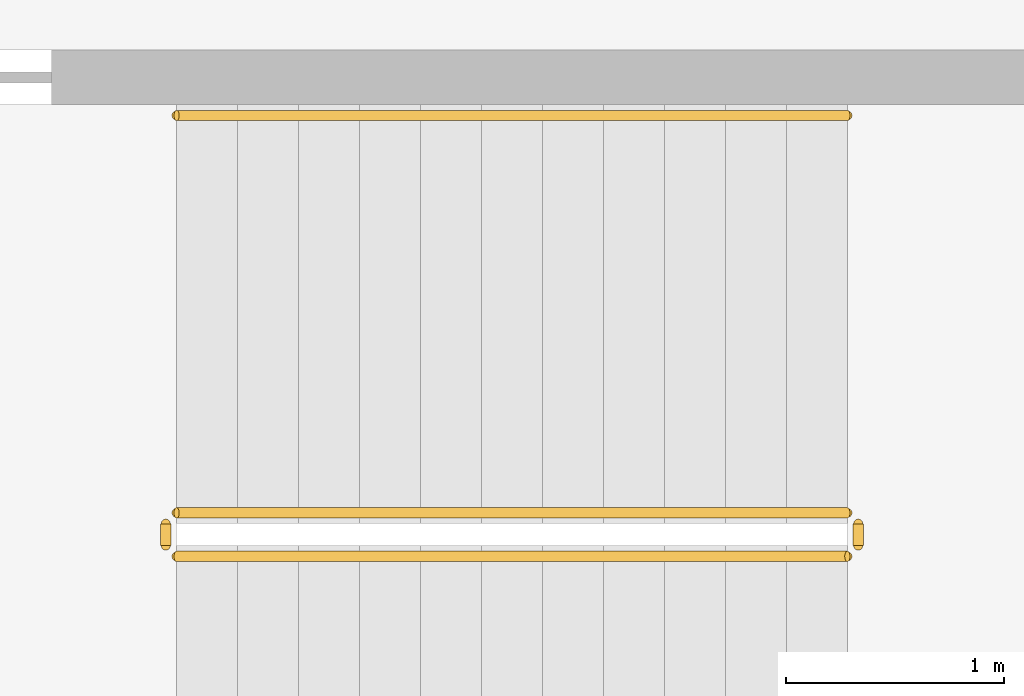
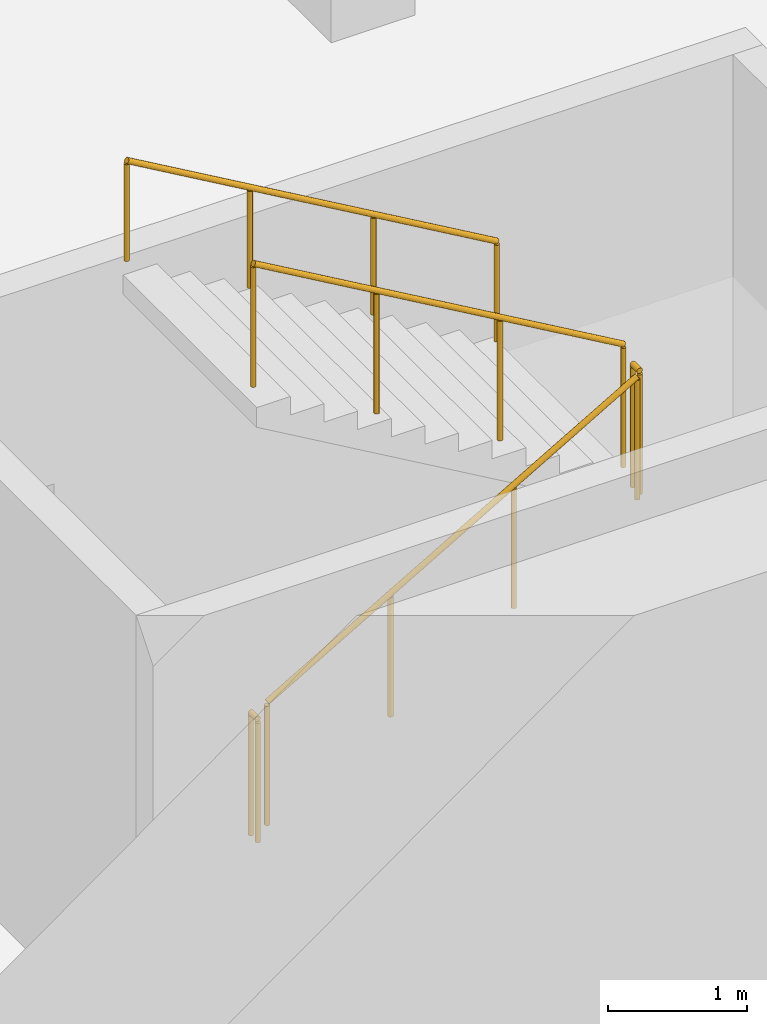
# One storey, part 21 of 25: 5 railings.
"""IFC4 building model written with IfcOpenShell, lengths in metres."""

from ifc_helpers import new_model, si_unit, direction, frame, origin, origin_2d, place, context, subcontext, project, spatial, circle, extrude, material, type_object, element, save


model = new_model("IFC4")

# Units and contexts
model_context = context("Model", 3, precision=1e-05, world=origin(), true_north=direction((0.0, 1.0)))
body_context = subcontext(model_context, "Body", "Model", "MODEL_VIEW")
ifc_project = project(units=[si_unit("LENGTHUNIT", "METRE"), si_unit("AREAUNIT", "SQUARE_METRE"), si_unit("VOLUMEUNIT", "CUBIC_METRE"), si_unit("PLANEANGLEUNIT", "RADIAN"), si_unit("MASSUNIT", "GRAM", prefix="KILO")], contexts=[model_context])

# Site, building, storey
site_placement = place(None, origin())
site = spatial("IfcSite", under=ifc_project, at=site_placement, CompositionType="ELEMENT")
building_placement = place(site_placement, origin())
building = spatial("IfcBuilding", under=site, at=building_placement, Name="Verdalira Terraces Hotel", CompositionType="ELEMENT")
storey_placement = place(building_placement, frame((0.0, 0.0, -3.899902)))
storey = spatial("IfcBuildingStorey", under=building, at=storey_placement, Name="B1", CompositionType="ELEMENT", Elevation=-3.89990234375)

# Railings
ifc_material_1 = material(Name="Stainless steel", Category="steel")
railing_type_1 = type_object("IfcRailingType", Name="Stair guard 1100", PredefinedType="GUARDRAIL", material=ifc_material_1)
railing_1_placement = place(storey_placement, frame((11.024902, -50.324951, 0.162354)))
element("IfcRailing", 1, at=railing_1_placement, inside=storey, type_object=railing_type_1, Name="B1 Basement stair 6 stair guard 1", PredefinedType="GUARDRAIL", context=body_context, shape_type="SweptSolid", body=[
    extrude(circle(Radius=0.023926, at=origin_2d()), frame((0.0, 0.0, 1.076172), z_axis=(0.864890721, 0.0, 0.501960198), x_axis=(0.0, 1.0, 0.0)), (0.0, 0.0, 1.0), 3.561279),
    extrude(circle(Radius=0.020996, at=origin_2d()), origin(), (0.0, 0.0, 1.0), 1.052002),
    extrude(circle(Radius=0.020996, at=origin_2d()), frame((1.026611, 0.0, 0.595947)), (0.0, 0.0, 1.0), 1.052002),
    extrude(circle(Radius=0.020996, at=origin_2d()), frame((2.053467, 0.0, 1.19165)), (0.0, 0.0, 1.0), 1.052002),
    extrude(circle(Radius=0.020996, at=origin_2d()), frame((3.080078, 0.0, 1.787598)), (0.0, 0.0, 1.0), 1.052002),
])
railing_2_placement = place(storey_placement, frame((14.155029, -50.274902, 1.949951)))
element("IfcRailing", 2, at=railing_2_placement, inside=storey, type_object=railing_type_1, Name="B1 Basement stair 6 stair guard 2", PredefinedType="GUARDRAIL", context=body_context, shape_type="SweptSolid", body=[
    extrude(circle(Radius=0.023926, at=origin_2d()), frame((0.0, 0.0, 1.076172), z_axis=(0.0, 1.0, 0.0), x_axis=(-1.0, 0.0, 0.0)), (0.0, 0.0, 1.0), 0.099854),
    extrude(circle(Radius=0.020996, at=origin_2d()), origin(), (0.0, 0.0, 1.0), 1.052002),
    extrude(circle(Radius=0.020996, at=origin_2d()), frame((0.0, 0.099854, 0.0)), (0.0, 0.0, 1.0), 1.052002),
])
railing_3_placement = place(storey_placement, frame((14.10498, -50.125, 2.112305)))
element("IfcRailing", 3, at=railing_3_placement, inside=storey, type_object=railing_type_1, Name="B1 Basement stair 6 stair guard 3", PredefinedType="GUARDRAIL", context=body_context, shape_type="SweptSolid", body=[
    extrude(circle(Radius=0.023926, at=origin_2d()), frame((0.0, 0.0, 1.076172), z_axis=(-0.864890721, 0.0, 0.501960198), x_axis=(0.0, -1.0, 0.0)), (0.0, 0.0, 1.0), 3.561279),
    extrude(circle(Radius=0.020996, at=origin_2d()), origin(), (0.0, 0.0, 1.0), 1.052002),
    extrude(circle(Radius=0.020996, at=origin_2d()), frame((-1.026611, 0.0, 0.595947)), (0.0, 0.0, 1.0), 1.052002),
    extrude(circle(Radius=0.020996, at=origin_2d()), frame((-2.053467, 0.0, 1.19165)), (0.0, 0.0, 1.0), 1.052002),
    extrude(circle(Radius=0.020996, at=origin_2d()), frame((-3.080078, 0.0, 1.787598)), (0.0, 0.0, 1.0), 1.052002),
])
railing_4_placement = place(storey_placement, frame((10.975098, -50.274902, 0.0)))
element("IfcRailing", 4, at=railing_4_placement, inside=storey, type_object=railing_type_1, Name="B1 Basement stair 6 stair guard 4", PredefinedType="GUARDRAIL", context=body_context, shape_type="SweptSolid", body=[
    extrude(circle(Radius=0.023926, at=origin_2d()), frame((0.0, 0.0, 1.076172), z_axis=(0.0, 1.0, 0.0), x_axis=(-1.0, 0.0, 0.0)), (0.0, 0.0, 1.0), 0.099854),
    extrude(circle(Radius=0.020996, at=origin_2d()), origin(), (0.0, 0.0, 1.0), 1.052002),
    extrude(circle(Radius=0.020996, at=origin_2d()), frame((0.0, 0.099854, 0.0)), (0.0, 0.0, 1.0), 1.052002),
])
ifc_material_2 = material(Name="Stainless steel", Category="steel")
railing_type_2 = type_object("IfcRailingType", Name="Stair handrail 900", PredefinedType="HANDRAIL", material=ifc_material_2)
railing_5_placement = place(storey_placement, frame((14.10498, -48.300049, 2.112305)))
element("IfcRailing", 5, at=railing_5_placement, inside=storey, type_object=railing_type_2, Name="B1 Basement stair 6 stair handrail 2", PredefinedType="HANDRAIL", context=body_context, shape_type="SweptSolid", body=[
    extrude(circle(Radius=0.023926, at=origin_2d()), frame((0.0, 0.0, 0.875977), z_axis=(-0.864890721, 0.0, 0.501960198), x_axis=(0.0, -1.0, 0.0)), (0.0, 0.0, 1.0), 3.561279),
    extrude(circle(Radius=0.020996, at=origin_2d()), origin(), (0.0, 0.0, 1.0), 0.851807),
    extrude(circle(Radius=0.020996, at=origin_2d()), frame((-1.026611, 0.0, 0.595947)), (0.0, 0.0, 1.0), 0.851807),
    extrude(circle(Radius=0.020996, at=origin_2d()), frame((-2.053467, 0.0, 1.19165)), (0.0, 0.0, 1.0), 0.851807),
    extrude(circle(Radius=0.020996, at=origin_2d()), frame((-3.080078, 0.0, 1.787598)), (0.0, 0.0, 1.0), 0.851807),
])

save(model, "model.ifc")
